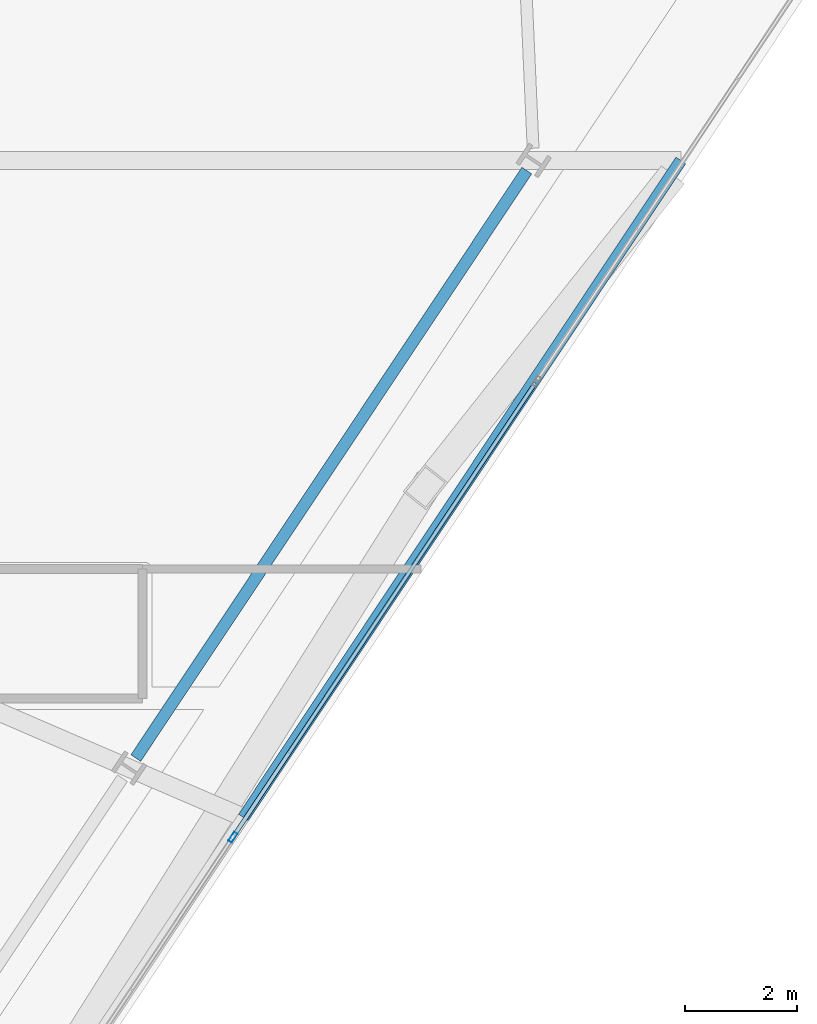
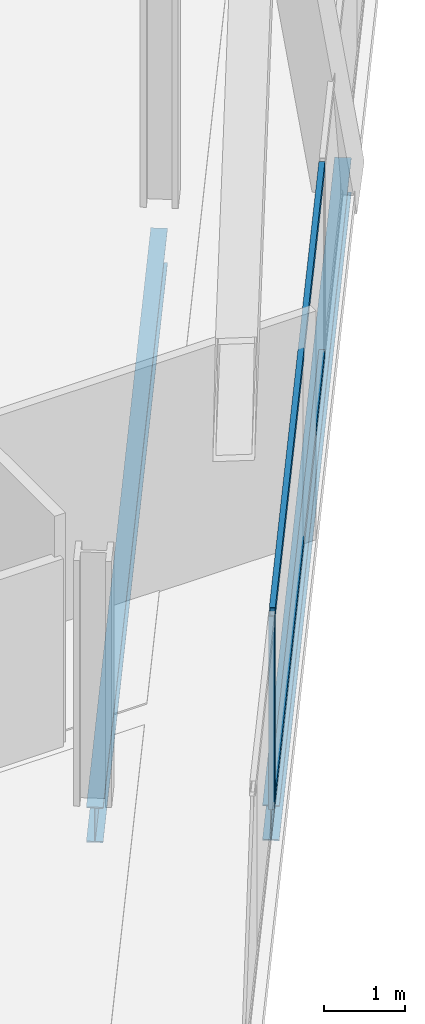
# One storey, part 11 of 32: 3 members, 2 beams, 1 element without a shape of its own.
"""IFC4 building model written with IfcOpenShell, lengths in metres."""

from ifc_helpers import new_model, si_unit, direction, frame, origin, origin_2d, place, context, subcontext, project, spatial, hollow_rectangle, i_section, extrude, material, material_profile, profile_set, type_object, element, aggregate, save


model = new_model("IFC4")

# Units and contexts
model_context = context("Model", 3, precision=1e-05, world=origin(), true_north=direction((0.0, 1.0)))
body_context = subcontext(model_context, "Body", "Model", "MODEL_VIEW")
ifc_project = project(units=[si_unit("LENGTHUNIT", "METRE"), si_unit("AREAUNIT", "SQUARE_METRE"), si_unit("VOLUMEUNIT", "CUBIC_METRE"), si_unit("PLANEANGLEUNIT", "RADIAN"), si_unit("MASSUNIT", "GRAM", prefix="KILO")], contexts=[model_context])

# Site, building, storey
site_placement = place(None, origin())
site = spatial("IfcSite", under=ifc_project, at=site_placement, CompositionType="ELEMENT")
building_placement = place(site_placement, origin())
building = spatial("IfcBuilding", under=site, at=building_placement, Name="Haldenkirk Collegiate Tower", CompositionType="ELEMENT")
storey_placement = place(building_placement, frame((0.0, 0.0, 217.199951171875)))
storey = spatial("IfcBuildingStorey", under=building, at=storey_placement, Name="L54", CompositionType="ELEMENT", Elevation=217.199951171875)

# Beams
ifc_material_1 = material(Name="Steel ASTM A992 Grade 50", Category="steel")
ifc_material_profile_1 = material_profile(ifc_material_1, i_section(OverallWidth=0.2099609375, OverallDepth=0.537109375, WebThickness=0.010986328125, FlangeThickness=0.017333984375, at=origin_2d()), Name="W21X68")
ifc_profile_set_1 = profile_set([ifc_material_profile_1], Name="Steel ASTM A992 Grade 50")
beam_type = type_object("IfcBeamType", Name="BM-SPANDREL-W21X68", PredefinedType="SPANDREL", material=ifc_profile_set_1)
beam_1_placement = place(storey_placement, frame((53.6845703125, 14.48876953125, -0.54833984375), z_axis=(0.554125989098, 0.832432813028, 0.0), x_axis=(-0.832432813028, 0.554125989098, 0.0)))
element("IfcBeam", 1, at=beam_1_placement, inside=storey, type_object=beam_type, Name="L54 perimeter spandrel beam 03", PredefinedType="SPANDREL", context=body_context, shape_type="SweptSolid", body=[
    extrude(i_section(OverallWidth=0.2099609375, OverallDepth=0.537109375, WebThickness=0.010986328125, FlangeThickness=0.017333984375, at=origin_2d()), origin(), (0.0, 0.0, 1.0), 12.56201171875),
])
beam_2_placement = place(storey_placement, frame((55.599365234375, 13.430908203125, -0.54833984375), z_axis=(0.554114591039, 0.832440400268, 0.0), x_axis=(-0.832440400268, 0.554114591039, 0.0)))
element("IfcBeam", 2, at=beam_2_placement, inside=storey, type_object=beam_type, Name="L54 outer facade edge beam 1B", PredefinedType="SPANDREL", context=body_context, shape_type="SweptSolid", body=[
    extrude(i_section(OverallWidth=0.2099609375, OverallDepth=0.537109375, WebThickness=0.010986328125, FlangeThickness=0.017333984375, at=origin_2d()), origin(), (0.0, 0.0, 1.0), 14.0498046875),
])

# Curtain wall, members
ifc_material_2 = material(Name="Anodised architectural bronze aluminium", Category="aluminium")
curtain_wall_type = type_object("IfcCurtainWallType", Name="CW-SYS2-CONCAVE", PredefinedType="USERDEFINED", material=ifc_material_2)
curtain_wall_placement = place(storey_placement, origin())
curtain_wall = element("IfcCurtainWall", 3, at=curtain_wall_placement, inside=storey, type_object=curtain_wall_type, Name="L54 South concave recessed bronze-anodised curtain wall", ObjectType="UNITISED CURTAIN WALL", PredefinedType="USERDEFINED")
ifc_material_profile_2 = material_profile(ifc_material_2, hollow_rectangle(XDim=0.074951171875, YDim=0.18994140625, WallThickness=0.0048828125, at=origin_2d()), Name="CW-MUL-02")
ifc_profile_set_2 = profile_set([ifc_material_profile_2], Name="Anodised architectural bronze aluminium")
member_type_1 = type_object("IfcMemberType", Name="CW-MUL-02", PredefinedType="MULLION", material=ifc_profile_set_2)
member_1_placement = place(storey_placement, frame((55.41259765625, 13.077880859375, 0.0), z_axis=(0.0, 0.0, 1.0), x_axis=(0.832438256204, -0.55411781203, 0.0)))
member_1 = element("IfcMember", 4, at=member_1_placement, type_object=member_type_1, Name="CW-02 mullion 3", PredefinedType="MULLION", context=body_context, shape_type="SweptSolid", body=[
    extrude(hollow_rectangle(XDim=0.074951171875, YDim=0.18994140625, WallThickness=0.0048828125, at=origin_2d()), origin(), (0.0, 0.0, 1.0), 2.927978515625),
])
ifc_material_profile_3 = material_profile(ifc_material_2, hollow_rectangle(XDim=0.074951171875, YDim=0.159912109375, WallThickness=0.0048828125, at=origin_2d()), Name="CW-TRN-02")
ifc_profile_set_3 = profile_set([ifc_material_profile_3], Name="Anodised architectural bronze aluminium")
member_type_2 = type_object("IfcMemberType", Name="CW-TRN-02", PredefinedType="USERDEFINED", material=ifc_profile_set_3)
member_2_placement = place(storey_placement, frame((60.79443359375, 21.1630859375, 0.03759765625), z_axis=(-0.554111912923, -0.832442182951, 0.0), x_axis=(0.832442182951, -0.554111912923, 0.0)))
member_2 = element("IfcMember", 5, at=member_2_placement, type_object=member_type_2, Name="CW-02 transom 2.1", ObjectType="TRANSOM", PredefinedType="USERDEFINED", context=body_context, shape_type="SweptSolid", body=[
    extrude(hollow_rectangle(XDim=0.074951171875, YDim=0.159912109375, WallThickness=0.0048828125, at=origin_2d()), origin(), (0.0, 0.0, 1.0), 9.675048828125),
])
member_3_placement = place(storey_placement, frame((60.79443359375, 21.1630859375, 2.890625), z_axis=(-0.554111912923, -0.832442182951, 0.0), x_axis=(0.832442182951, -0.554111912923, 0.0)))
member_3 = element("IfcMember", 6, at=member_3_placement, type_object=member_type_2, Name="CW-02 transom 2.2", ObjectType="TRANSOM", PredefinedType="USERDEFINED", context=body_context, shape_type="SweptSolid", body=[
    extrude(hollow_rectangle(XDim=0.074951171875, YDim=0.159912109375, WallThickness=0.0048828125, at=origin_2d()), origin(), (0.0, 0.0, 1.0), 9.675048828125),
])
aggregate(curtain_wall, [member_1, member_2, member_3])

save(model, "model.ifc")
